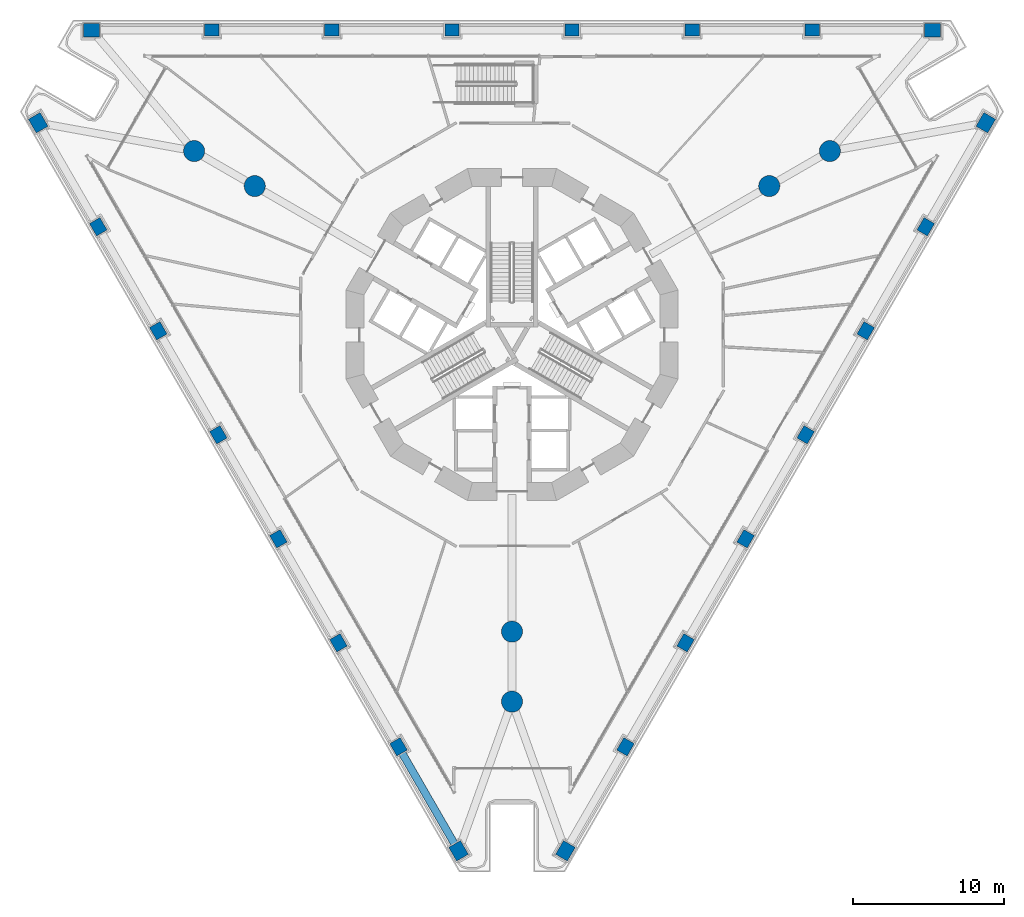
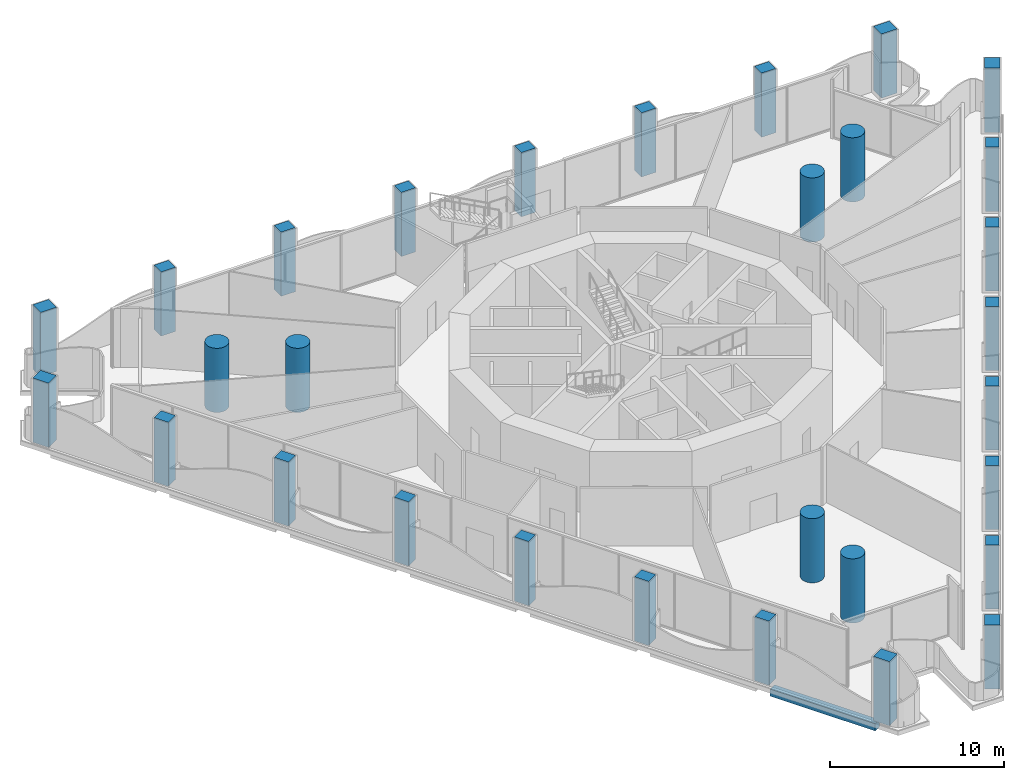
# One storey, part 1 of 21: 30 columns, 1 beam.
"""IFC4 building model written with IfcOpenShell, lengths in metres."""

from ifc_helpers import new_model, si_unit, direction, frame, origin, origin_2d, place, context, subcontext, project, spatial, rectangle, circle, extrude, material, material_profile, profile_set, type_object, element, save


model = new_model("IFC4")

# Units and contexts
model_context = context("Model", 3, precision=1e-05, world=origin(), true_north=direction((0.0, 1.0)))
body_context = subcontext(model_context, "Body", "Model", "MODEL_VIEW")
ifc_project = project(units=[si_unit("LENGTHUNIT", "METRE"), si_unit("AREAUNIT", "SQUARE_METRE"), si_unit("VOLUMEUNIT", "CUBIC_METRE"), si_unit("PLANEANGLEUNIT", "RADIAN"), si_unit("MASSUNIT", "GRAM", prefix="KILO")], contexts=[model_context])

# Site, building, storey
site_placement = place(None, origin())
site = spatial("IfcSite", under=ifc_project, at=site_placement, CompositionType="ELEMENT")
building_placement = place(site_placement, origin())
building = spatial("IfcBuilding", under=site, at=building_placement, Name="Trine Commons Tower", CompositionType="ELEMENT")
storey_placement = place(building_placement, frame((0.0, 0.0, 13.5)))
storey = spatial("IfcBuildingStorey", under=building, at=storey_placement, Name="L02", CompositionType="ELEMENT", Elevation=13.5)

# Columns
ifc_material_1 = material(Name="Concrete C80/95", Category="concrete")
ifc_material_profile_1 = material_profile(ifc_material_1, rectangle(XDim=1.050048828125, YDim=0.89990234375, at=origin_2d()), Name="RC 1050x900")
ifc_profile_set_1 = profile_set([ifc_material_profile_1], Name="Concrete C80/95")
column_type_1 = type_object("IfcColumnType", Name="RC column 1050x900, C80/95", PredefinedType="COLUMN", material=ifc_profile_set_1)
for number, where, z_axis, x_axis, name in (
    (1, (76.45556640625, 28.27001953125, 0.0), (0.0, 0.0, 1.0), (-0.5, 0.866025403784, 0.0), "Column PC1-01 L02"),
    (2, (48.583740234375, 76.54541015625, 0.0), (0.0, 0.0, 1.0), (-0.5, 0.866025403784, 0.0), "Column PC1-08 L02"),
    (3, (52.128173828125, 82.6845703125, 0.0), (0.0, 0.0, 1.0), (1.0, 0.0, 0.0), "Column PC1-09 L02"),
    (4, (107.871826171875, 82.6845703125, 0.0), (0.0, 0.0, 1.0), (1.0, 0.0, 0.0), "Column PC1-16 L02"),
    (5, (111.416259765625, 76.54541015625, 0.0), (0.0, 0.0, 1.0), (0.5, 0.866025403784, 0.0), "Column PC1-17 L02"),
    (6, (83.54443359375, 28.27001953125, 0.0), (0.0, 0.0, 1.0), (0.5, 0.866025403784, 0.0), "Column PC1-24 L02"),
):
    element("IfcColumn", number, at=place(storey_placement, frame(where, z_axis=z_axis, x_axis=x_axis)), inside=storey, type_object=column_type_1, Name=name, PredefinedType="COLUMN", context=body_context, shape_type="SweptSolid", body=[
        extrude(rectangle(XDim=1.050048828125, YDim=0.89990234375, at=origin_2d()), origin(), (0.0, 0.0, 1.0), 4.5),
    ])
ifc_material_profile_2 = material_profile(ifc_material_1, rectangle(XDim=0.949951171875, YDim=0.800048828125, at=origin_2d()), Name="RC 950x800")
ifc_profile_set_2 = profile_set([ifc_material_profile_2], Name="Concrete C80/95")
column_type_2 = type_object("IfcColumnType", Name="RC column 950x800, C80/95", PredefinedType="COLUMN", material=ifc_profile_set_2)
for number, where, z_axis, x_axis, name in (
    (7, (72.473876953125, 35.16650390625, 0.0), (0.0, 0.0, 1.0), (-0.5, 0.866025403784, 0.0), "Column PC1-02 L02"),
    (8, (68.4921875, 42.06298828125, 0.0), (0.0, 0.0, 1.0), (-0.5, 0.866025403784, 0.0), "Column PC1-03 L02"),
    (9, (64.510498046875, 48.95947265625, 0.0), (0.0, 0.0, 1.0), (-0.5, 0.866025403784, 0.0), "Column PC1-04 L02"),
    (10, (60.52880859375, 55.85595703125, 0.0), (0.0, 0.0, 1.0), (-0.5, 0.866025403784, 0.0), "Column PC1-05 L02"),
    (11, (56.547119140625, 62.75244140625, 0.0), (0.0, 0.0, 1.0), (-0.5, 0.866025403784, 0.0), "Column PC1-06 L02"),
    (12, (52.5654296875, 69.64892578125, 0.0), (0.0, 0.0, 1.0), (-0.5, 0.866025403784, 0.0), "Column PC1-07 L02"),
    (13, (60.091552734375, 82.6845703125, 0.0), (0.0, 0.0, 1.0), (1.0, 0.0, 0.0), "Column PC1-10 L02"),
    (14, (68.054931640625, 82.6845703125, 0.0), (0.0, 0.0, 1.0), (1.0, 0.0, 0.0), "Column PC1-11 L02"),
    (15, (76.018310546875, 82.6845703125, 0.0), (0.0, 0.0, 1.0), (1.0, 0.0, 0.0), "Column PC1-12 L02"),
    (16, (83.981689453125, 82.6845703125, 0.0), (0.0, 0.0, 1.0), (1.0, 0.0, 0.0), "Column PC1-13 L02"),
    (17, (91.945068359375, 82.6845703125, 0.0), (0.0, 0.0, 1.0), (1.0, 0.0, 0.0), "Column PC1-14 L02"),
    (18, (99.908447265625, 82.6845703125, 0.0), (0.0, 0.0, 1.0), (1.0, 0.0, 0.0), "Column PC1-15 L02"),
    (19, (107.4345703125, 69.64892578125, 0.0), (0.0, 0.0, 1.0), (0.5, 0.866025403784, 0.0), "Column PC1-18 L02"),
    (20, (103.452880859375, 62.75244140625, 0.0), (0.0, 0.0, 1.0), (0.5, 0.866025403784, 0.0), "Column PC1-19 L02"),
    (21, (99.47119140625, 55.85595703125, 0.0), (0.0, 0.0, 1.0), (0.5, 0.866025403784, 0.0), "Column PC1-20 L02"),
    (22, (95.489501953125, 48.95947265625, 0.0), (0.0, 0.0, 1.0), (0.5, 0.866025403784, 0.0), "Column PC1-21 L02"),
    (23, (91.5078125, 42.06298828125, 0.0), (0.0, 0.0, 1.0), (0.5, 0.866025403784, 0.0), "Column PC1-22 L02"),
    (24, (87.526123046875, 35.16650390625, 0.0), (0.0, 0.0, 1.0), (0.5, 0.866025403784, 0.0), "Column PC1-23 L02"),
):
    element("IfcColumn", number, at=place(storey_placement, frame(where, z_axis=z_axis, x_axis=x_axis)), inside=storey, type_object=column_type_2, Name=name, PredefinedType="COLUMN", context=body_context, shape_type="SweptSolid", body=[
        extrude(rectangle(XDim=0.949951171875, YDim=0.800048828125, at=origin_2d()), origin(), (0.0, 0.0, 1.0), 4.5),
    ])
ifc_material_profile_3 = material_profile(ifc_material_1, circle(Radius=0.699951171875, at=origin_2d()), Name="RC round 1400")
ifc_profile_set_3 = profile_set([ifc_material_profile_3], Name="Concrete C80/95")
column_type_3 = type_object("IfcColumnType", Name="RC round column 1400 mm, C80/95", PredefinedType="COLUMN", material=ifc_profile_set_3)
for number, where, z_axis, x_axis, name in (
    (25, (80.0, 42.802978515625, 0.0), (0.0, 0.0, 1.0), (1.0, 0.0, 0.0), "Column WC1-1 L02"),
    (26, (80.0, 38.162109375, 0.0), (0.0, 0.0, 1.0), (1.0, 0.0, 0.0), "Column WC1-2 L02"),
    (27, (97.05810546875, 72.348388671875, 0.0), (0.0, 0.0, 1.0), (1.0, 0.0, 0.0), "Column WC1-3 L02"),
    (28, (101.0771484375, 74.6689453125, 0.0), (0.0, 0.0, 1.0), (1.0, 0.0, 0.0), "Column WC1-4 L02"),
    (29, (62.94189453125, 72.348388671875, 0.0), (0.0, 0.0, 1.0), (1.0, 0.0, 0.0), "Column WC1-5 L02"),
    (30, (58.9228515625, 74.6689453125, 0.0), (0.0, 0.0, 1.0), (1.0, 0.0, 0.0), "Column WC1-6 L02"),
):
    element("IfcColumn", number, at=place(storey_placement, frame(where, z_axis=z_axis, x_axis=x_axis)), inside=storey, type_object=column_type_3, Name=name, PredefinedType="COLUMN", context=body_context, shape_type="SweptSolid", body=[
        extrude(circle(Radius=0.699951171875, at=origin_2d()), origin(), (0.0, 0.0, 1.0), 4.5),
    ])

# Beam
ifc_material_2 = material(Name="Concrete C50/60", Category="concrete")
ifc_material_profile_4 = material_profile(ifc_material_2, rectangle(XDim=0.5, YDim=0.5, at=origin_2d()), Name="RC 500x500")
ifc_profile_set_4 = profile_set([ifc_material_profile_4], Name="Concrete C50/60")
beam_type = type_object("IfcBeamType", Name="RC beam 500x500, C50/60", PredefinedType="BEAM", material=ifc_profile_set_4)
beam_placement = place(storey_placement, frame((76.193115234375, 28.724609375, -0.60009765625), z_axis=(-0.500022902661, 0.866012180523, 0.0), x_axis=(-0.866012180523, -0.500022902661, 0.0)))
element("IfcBeam", 31, at=beam_placement, inside=storey, type_object=beam_type, Name="Beam EB1-01 L02", PredefinedType="BEAM", context=body_context, shape_type="SweptSolid", body=[
    extrude(rectangle(XDim=0.5, YDim=0.5, at=origin_2d()), origin(), (0.0, 0.0, 1.0), 6.963623046875),
])

save(model, "model.ifc")
